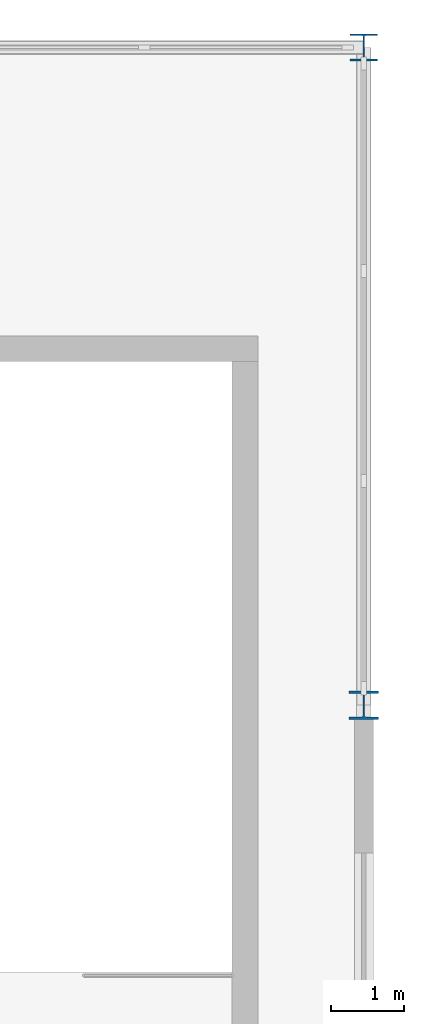
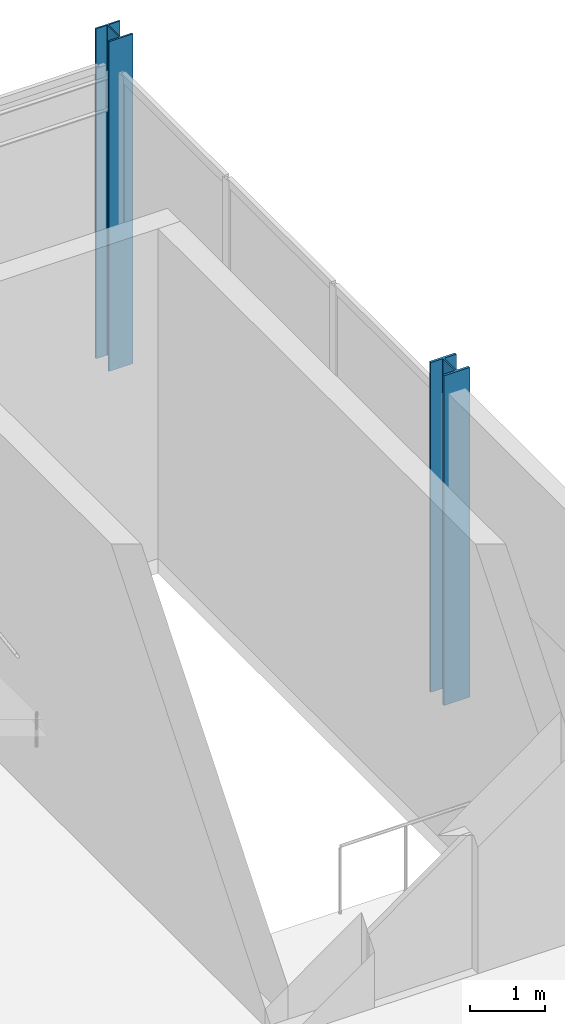
# One storey, part 22 of 119: 2 columns.
"""IFC4 building model written with IfcOpenShell, lengths in metres."""

from ifc_helpers import new_model, si_unit, direction, frame, origin, origin_2d, place, context, subcontext, project, spatial, i_section, extrude, material, material_profile, profile_set, type_object, element, save


model = new_model("IFC4")

# Units and contexts
model_context = context("Model", 3, precision=1e-05, world=origin(), true_north=direction((0.0, 1.0)))
body_context = subcontext(model_context, "Body", "Model", "MODEL_VIEW")
ifc_project = project(units=[si_unit("LENGTHUNIT", "METRE"), si_unit("AREAUNIT", "SQUARE_METRE"), si_unit("VOLUMEUNIT", "CUBIC_METRE"), si_unit("PLANEANGLEUNIT", "RADIAN"), si_unit("MASSUNIT", "GRAM", prefix="KILO")], contexts=[model_context])

# Site, building, storey
site_placement = place(None, origin())
site = spatial("IfcSite", under=ifc_project, at=site_placement, CompositionType="ELEMENT")
building_placement = place(site_placement, origin())
building = spatial("IfcBuilding", under=site, at=building_placement, Name="Qamarlyn Nura Convention Centre", CompositionType="ELEMENT")
storey_placement = place(building_placement, frame((0.0, 0.0, 5.39990234375)))
storey = spatial("IfcBuildingStorey", under=building, at=storey_placement, Name="L01", CompositionType="ELEMENT", Elevation=5.39990234375)

# Columns
ifc_material = material(Name="Steel ASTM A992", Category="steel")
ifc_material_profile_1 = material_profile(ifc_material, i_section(OverallWidth=0.39892578125, OverallDepth=0.39306640625, WebThickness=0.022705078125, FlangeThickness=0.03662109375, FilletRadius=0.01806640625, at=origin_2d()), Name="W360X287")
ifc_profile_set_1 = profile_set([ifc_material_profile_1], Name="Steel ASTM A992")
column_type_1 = type_object("IfcColumnType", Name="COL-WING-1", PredefinedType="COLUMN", material=ifc_profile_set_1)
column_1_placement = place(storey_placement, frame((192.0, 117.0, 0.0), z_axis=(0.0, 0.0, 1.0), x_axis=(1.0, 0.0, 0.0)))
element("IfcColumn", 1, at=column_1_placement, inside=storey, type_object=column_type_1, Name="L01 column 18/P", PredefinedType="COLUMN", context=body_context, shape_type="SweptSolid", body=[
    extrude(i_section(OverallWidth=0.39892578125, OverallDepth=0.39306640625, WebThickness=0.022705078125, FlangeThickness=0.03662109375, FilletRadius=0.01806640625, at=origin_2d()), origin(), (0.0, 0.0, 1.0), 5.400146484375),
])
ifc_material_profile_2 = material_profile(ifc_material, i_section(OverallWidth=0.3740234375, OverallDepth=0.3720703125, WebThickness=0.016357421875, FlangeThickness=0.026123046875, FilletRadius=0.01611328125, at=origin_2d()), Name="W360X196")
ifc_profile_set_2 = profile_set([ifc_material_profile_2], Name="Steel ASTM A992")
column_type_2 = type_object("IfcColumnType", Name="COL-WING-2", PredefinedType="COLUMN", material=ifc_profile_set_2)
column_2_placement = place(storey_placement, frame((192.0, 126.0, 0.0), z_axis=(0.0, 0.0, 1.0), x_axis=(1.0, 0.0, 0.0)))
element("IfcColumn", 2, at=column_2_placement, inside=storey, type_object=column_type_2, Name="L01 column 18/Q", PredefinedType="COLUMN", context=body_context, shape_type="SweptSolid", body=[
    extrude(i_section(OverallWidth=0.3740234375, OverallDepth=0.3720703125, WebThickness=0.016357421875, FlangeThickness=0.026123046875, FilletRadius=0.01611328125, at=origin_2d()), origin(), (0.0, 0.0, 1.0), 5.400146484375),
])

save(model, "model.ifc")
